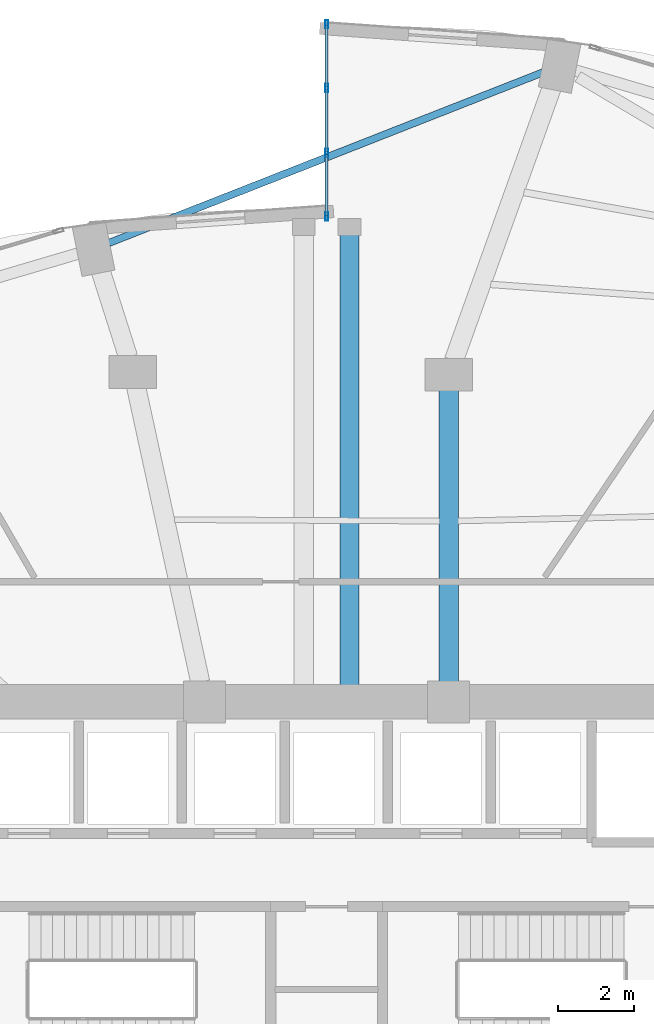
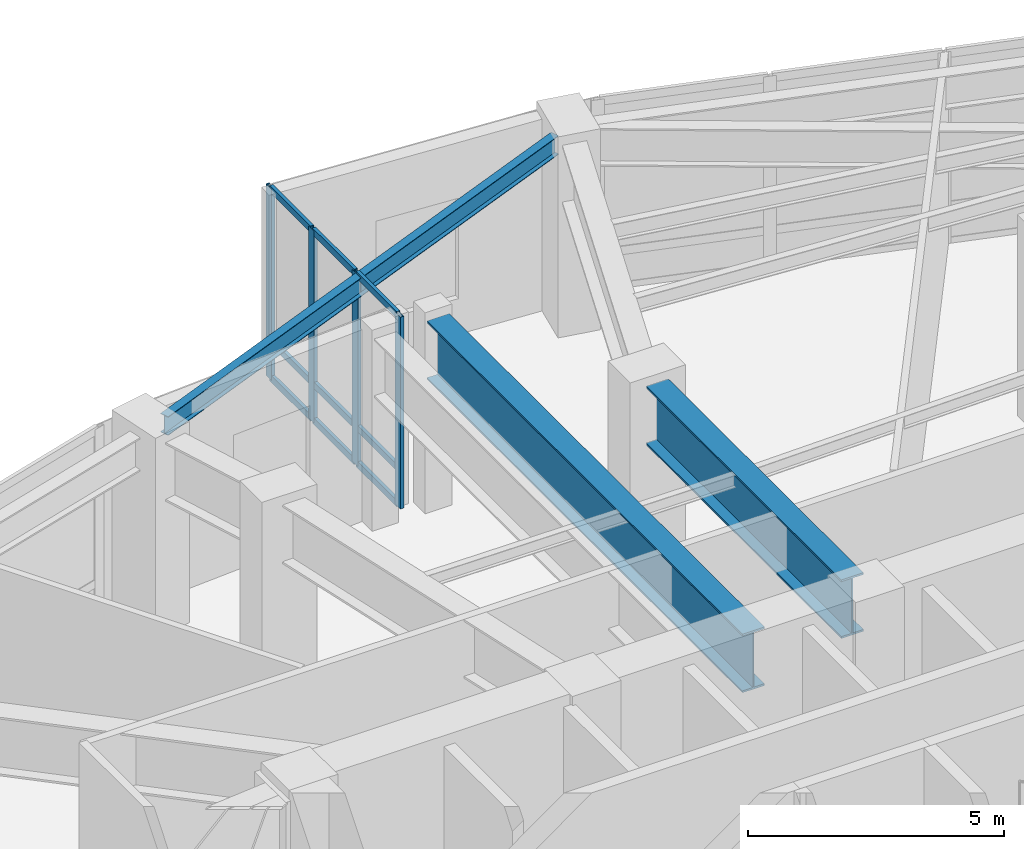
# One storey, part 15 of 24: 13 members, 3 beams, 1 element without a shape of its own.
"""IFC4 building model written with IfcOpenShell, lengths in metres."""

from ifc_helpers import new_model, si_unit, direction, frame, origin, origin_2d, place, context, subcontext, project, spatial, hollow_rectangle, i_section, extrude, material, layer, layer_set, material_profile, profile_set, type_object, element, aggregate, save


model = new_model("IFC4")

# Units and contexts
model_context = context("Model", 3, precision=1e-05, world=origin(), true_north=direction((0.0, 1.0)))
body_context = subcontext(model_context, "Body", "Model", "MODEL_VIEW")
ifc_project = project(units=[si_unit("LENGTHUNIT", "METRE"), si_unit("AREAUNIT", "SQUARE_METRE"), si_unit("VOLUMEUNIT", "CUBIC_METRE"), si_unit("PLANEANGLEUNIT", "RADIAN"), si_unit("MASSUNIT", "GRAM", prefix="KILO")], contexts=[model_context])

# Site, building, storey
site_placement = place(None, origin())
site = spatial("IfcSite", under=ifc_project, at=site_placement, CompositionType="ELEMENT")
building_placement = place(site_placement, origin())
building = spatial("IfcBuilding", under=site, at=building_placement, Name="Lazwardi Medical Tower", CompositionType="ELEMENT")
storey_placement = place(building_placement, frame((0.0, 0.0, 20.39990234375)))
storey = spatial("IfcBuildingStorey", under=building, at=storey_placement, Name="L04", CompositionType="ELEMENT", Elevation=20.39990234375)

# Beams
ifc_material_1 = material(Name="Steel S355", Category="steel")
ifc_material_profile_1 = material_profile(ifc_material_1, i_section(OverallWidth=0.18994140625, OverallDepth=0.449951171875, WebThickness=0.009521484375, FlangeThickness=0.0146484375, at=origin_2d()), Name="IPE 450")
ifc_profile_set_1 = profile_set([ifc_material_profile_1], Name="Steel S355")
beam_type_1 = type_object("IfcBeamType", Name="BM-SP-01", PredefinedType="SPANDREL", material=ifc_profile_set_1)
beam_1_placement = place(storey_placement, frame((41.7060546875, 52.1142578125, 4.35498046875), z_axis=(-0.930695337123, -0.365795283536, 0.0), x_axis=(0.365795283536, -0.930695337123, 0.0)))
element("IfcBeam", 1, at=beam_1_placement, inside=storey, type_object=beam_type_1, Name="Spandrel beam SP-01 B08 L04", PredefinedType="SPANDREL", context=body_context, shape_type="SweptSolid", body=[
    extrude(i_section(OverallWidth=0.18994140625, OverallDepth=0.449951171875, WebThickness=0.009521484375, FlangeThickness=0.0146484375, at=origin_2d()), origin(), (0.0, 0.0, 1.0), 12.261962890625),
])
ifc_material_2 = material(Name="Steel S460", Category="steel")
ifc_material_profile_2 = material_profile(ifc_material_2, i_section(OverallWidth=0.5, OverallDepth=1.39990234375, WebThickness=0.028076171875, FlangeThickness=0.044921875, at=origin_2d()), Name="PG 1400x500")
ifc_profile_set_2 = profile_set([ifc_material_profile_2], Name="Steel S460")
beam_type_2 = type_object("IfcBeamType", Name="BM-TG-01", PredefinedType="BEAM", material=ifc_profile_set_2)
beam_2_placement = place(storey_placement, frame((36.60009765625, 47.840087890625, 3.880126953125), z_axis=(0.0, -1.0, 0.0), x_axis=(1.0, 0.0, 0.0)))
element("IfcBeam", 2, at=beam_2_placement, inside=storey, type_object=beam_type_2, Name="Transfer girder TG-01 PL2 L04", PredefinedType="BEAM", context=body_context, shape_type="SweptSolid", body=[
    extrude(i_section(OverallWidth=0.5, OverallDepth=1.39990234375, WebThickness=0.028076171875, FlangeThickness=0.044921875, at=origin_2d()), origin(), (0.0, 0.0, 1.0), 12.340087890625),
])
beam_3_placement = place(storey_placement, frame((39.199951171875, 43.77490234375, 3.880126953125), z_axis=(0.0, -1.0, 0.0), x_axis=(1.0, 0.0, 0.0)))
element("IfcBeam", 3, at=beam_3_placement, inside=storey, type_object=beam_type_2, Name="Transfer girder TG-01 M08B L04", PredefinedType="BEAM", context=body_context, shape_type="SweptSolid", body=[
    extrude(i_section(OverallWidth=0.5, OverallDepth=1.39990234375, WebThickness=0.028076171875, FlangeThickness=0.044921875, at=origin_2d()), origin(), (0.0, 0.0, 1.0), 7.639892578125),
])

# Curtain wall, members
ifc_material_3 = material(Name="Anodised bronze aluminium and solar control glazing", Category="aluminium")
ifc_layer = layer(ifc_material_3, 0.2099609375)
ifc_layer_set = layer_set([ifc_layer], Name="Anodised bronze aluminium and solar control glazing")
curtain_wall_type = type_object("IfcCurtainWallType", Name="CW-SYS-06", PredefinedType="NOTDEFINED", material=ifc_layer_set)
curtain_wall_placement = place(storey_placement, origin())
curtain_wall = element("IfcCurtainWall", 4, at=curtain_wall_placement, inside=storey, type_object=curtain_wall_type, Name="L04 Unitised bronze curtain wall CW-06", PredefinedType="NOTDEFINED")
ifc_material_4 = material(Name="Anodised bronze aluminium", Category="aluminium")
ifc_material_profile_3 = material_profile(ifc_material_4, hollow_rectangle(XDim=0.074951171875, YDim=0.219970703125, WallThickness=0.00390625, at=origin_2d()), Name="ALU-MULLION 220x75x4")
ifc_profile_set_3 = profile_set([ifc_material_profile_3], Name="Anodised bronze aluminium")
member_type_1 = type_object("IfcMemberType", Name="CW-MUL-01", PredefinedType="MULLION", material=ifc_profile_set_3)
member_1_placement = place(storey_placement, frame((36.0, 53.362548828125, 0.0), z_axis=(0.0, 0.0, 1.0), x_axis=(1.0, 0.0, 0.0)))
member_1 = element("IfcMember", 5, at=member_1_placement, type_object=member_type_1, Name="CW-06 mullion 1", PredefinedType="MULLION", context=body_context, shape_type="SweptSolid", body=[
    extrude(hollow_rectangle(XDim=0.074951171875, YDim=0.219970703125, WallThickness=0.00390625, at=origin_2d()), origin(), (0.0, 0.0, 1.0), 4.580078125),
])
member_2_placement = place(storey_placement, frame((36.0, 51.693359375, 0.0), z_axis=(0.0, 0.0, 1.0), x_axis=(1.0, 0.0, 0.0)))
member_2 = element("IfcMember", 6, at=member_2_placement, type_object=member_type_1, Name="CW-06 mullion 2", PredefinedType="MULLION", context=body_context, shape_type="SweptSolid", body=[
    extrude(hollow_rectangle(XDim=0.074951171875, YDim=0.219970703125, WallThickness=0.00390625, at=origin_2d()), origin(), (0.0, 0.0, 1.0), 4.580078125),
])
member_3_placement = place(storey_placement, frame((36.0, 49.986572265625, 0.0), z_axis=(0.0, 0.0, 1.0), x_axis=(1.0, 0.0, 0.0)))
member_3 = element("IfcMember", 7, at=member_3_placement, type_object=member_type_1, Name="CW-06 mullion 3", PredefinedType="MULLION", context=body_context, shape_type="SweptSolid", body=[
    extrude(hollow_rectangle(XDim=0.074951171875, YDim=0.219970703125, WallThickness=0.00390625, at=origin_2d()), origin(), (0.0, 0.0, 1.0), 4.580078125),
])
member_4_placement = place(storey_placement, frame((36.0, 48.3173828125, 0.0), z_axis=(0.0, 0.0, 1.0), x_axis=(1.0, 0.0, 0.0)))
member_4 = element("IfcMember", 8, at=member_4_placement, type_object=member_type_1, Name="CW-06 mullion 4", PredefinedType="MULLION", context=body_context, shape_type="SweptSolid", body=[
    extrude(hollow_rectangle(XDim=0.074951171875, YDim=0.219970703125, WallThickness=0.00390625, at=origin_2d()), origin(), (0.0, 0.0, 1.0), 4.580078125),
])
ifc_material_profile_4 = material_profile(ifc_material_4, hollow_rectangle(XDim=0.074951171875, YDim=0.159912109375, WallThickness=0.00390625, at=origin_2d()), Name="ALU-TRANSOM 160x75x4")
ifc_profile_set_4 = profile_set([ifc_material_profile_4], Name="Anodised bronze aluminium")
member_type_2 = type_object("IfcMemberType", Name="CW-TRN-01", PredefinedType="USERDEFINED", material=ifc_profile_set_4)
member_5_placement = place(storey_placement, frame((36.0, 53.324951171875, 0.03759765625), z_axis=(0.0, -1.0, 0.0), x_axis=(1.0, 0.0, 0.0)))
member_5 = element("IfcMember", 9, at=member_5_placement, type_object=member_type_2, Name="CW-06 transom 1.1", ObjectType="TRANSOM", PredefinedType="USERDEFINED", context=body_context, shape_type="SweptSolid", body=[
    extrude(hollow_rectangle(XDim=0.074951171875, YDim=0.159912109375, WallThickness=0.00390625, at=origin_2d()), origin(), (0.0, 0.0, 1.0), 1.59423828125),
])
member_6_placement = place(storey_placement, frame((36.0, 53.324951171875, 0.900146484375), z_axis=(0.0, -1.0, 0.0), x_axis=(1.0, 0.0, 0.0)))
member_6 = element("IfcMember", 10, at=member_6_placement, type_object=member_type_2, Name="CW-06 transom 1.2", ObjectType="TRANSOM", PredefinedType="USERDEFINED", context=body_context, shape_type="SweptSolid", body=[
    extrude(hollow_rectangle(XDim=0.074951171875, YDim=0.159912109375, WallThickness=0.00390625, at=origin_2d()), origin(), (0.0, 0.0, 1.0), 1.59423828125),
])
member_7_placement = place(storey_placement, frame((36.0, 53.324951171875, 4.54248046875), z_axis=(0.0, -1.0, 0.0), x_axis=(1.0, 0.0, 0.0)))
member_7 = element("IfcMember", 11, at=member_7_placement, type_object=member_type_2, Name="CW-06 transom 1.3", ObjectType="TRANSOM", PredefinedType="USERDEFINED", context=body_context, shape_type="SweptSolid", body=[
    extrude(hollow_rectangle(XDim=0.074951171875, YDim=0.159912109375, WallThickness=0.00390625, at=origin_2d()), origin(), (0.0, 0.0, 1.0), 1.59423828125),
])
member_8_placement = place(storey_placement, frame((36.0, 51.65576171875, 0.03759765625), z_axis=(0.0, -1.0, 0.0), x_axis=(1.0, 0.0, 0.0)))
member_8 = element("IfcMember", 12, at=member_8_placement, type_object=member_type_2, Name="CW-06 transom 2.1", ObjectType="TRANSOM", PredefinedType="USERDEFINED", context=body_context, shape_type="SweptSolid", body=[
    extrude(hollow_rectangle(XDim=0.074951171875, YDim=0.159912109375, WallThickness=0.00390625, at=origin_2d()), origin(), (0.0, 0.0, 1.0), 1.631591796875),
])
member_9_placement = place(storey_placement, frame((36.0, 51.65576171875, 0.900146484375), z_axis=(0.0, -1.0, 0.0), x_axis=(1.0, 0.0, 0.0)))
member_9 = element("IfcMember", 13, at=member_9_placement, type_object=member_type_2, Name="CW-06 transom 2.2", ObjectType="TRANSOM", PredefinedType="USERDEFINED", context=body_context, shape_type="SweptSolid", body=[
    extrude(hollow_rectangle(XDim=0.074951171875, YDim=0.159912109375, WallThickness=0.00390625, at=origin_2d()), origin(), (0.0, 0.0, 1.0), 1.631591796875),
])
member_10_placement = place(storey_placement, frame((36.0, 51.65576171875, 4.54248046875), z_axis=(0.0, -1.0, 0.0), x_axis=(1.0, 0.0, 0.0)))
member_10 = element("IfcMember", 14, at=member_10_placement, type_object=member_type_2, Name="CW-06 transom 2.3", ObjectType="TRANSOM", PredefinedType="USERDEFINED", context=body_context, shape_type="SweptSolid", body=[
    extrude(hollow_rectangle(XDim=0.074951171875, YDim=0.159912109375, WallThickness=0.00390625, at=origin_2d()), origin(), (0.0, 0.0, 1.0), 1.631591796875),
])
member_11_placement = place(storey_placement, frame((36.0, 49.94921875, 0.03759765625), z_axis=(0.0, -1.0, 0.0), x_axis=(1.0, 0.0, 0.0)))
member_11 = element("IfcMember", 15, at=member_11_placement, type_object=member_type_2, Name="CW-06 transom 3.1", ObjectType="TRANSOM", PredefinedType="USERDEFINED", context=body_context, shape_type="SweptSolid", body=[
    extrude(hollow_rectangle(XDim=0.074951171875, YDim=0.159912109375, WallThickness=0.00390625, at=origin_2d()), origin(), (0.0, 0.0, 1.0), 1.59423828125),
])
member_12_placement = place(storey_placement, frame((36.0, 49.94921875, 0.900146484375), z_axis=(0.0, -1.0, 0.0), x_axis=(1.0, 0.0, 0.0)))
member_12 = element("IfcMember", 16, at=member_12_placement, type_object=member_type_2, Name="CW-06 transom 3.2", ObjectType="TRANSOM", PredefinedType="USERDEFINED", context=body_context, shape_type="SweptSolid", body=[
    extrude(hollow_rectangle(XDim=0.074951171875, YDim=0.159912109375, WallThickness=0.00390625, at=origin_2d()), origin(), (0.0, 0.0, 1.0), 1.59423828125),
])
member_13_placement = place(storey_placement, frame((36.0, 49.94921875, 4.54248046875), z_axis=(0.0, -1.0, 0.0), x_axis=(1.0, 0.0, 0.0)))
member_13 = element("IfcMember", 17, at=member_13_placement, type_object=member_type_2, Name="CW-06 transom 3.3", ObjectType="TRANSOM", PredefinedType="USERDEFINED", context=body_context, shape_type="SweptSolid", body=[
    extrude(hollow_rectangle(XDim=0.074951171875, YDim=0.159912109375, WallThickness=0.00390625, at=origin_2d()), origin(), (0.0, 0.0, 1.0), 1.59423828125),
])
aggregate(curtain_wall, [member_1, member_2, member_3, member_4, member_5, member_6, member_7, member_8, member_9, member_10, member_11, member_12, member_13])

save(model, "model.ifc")
